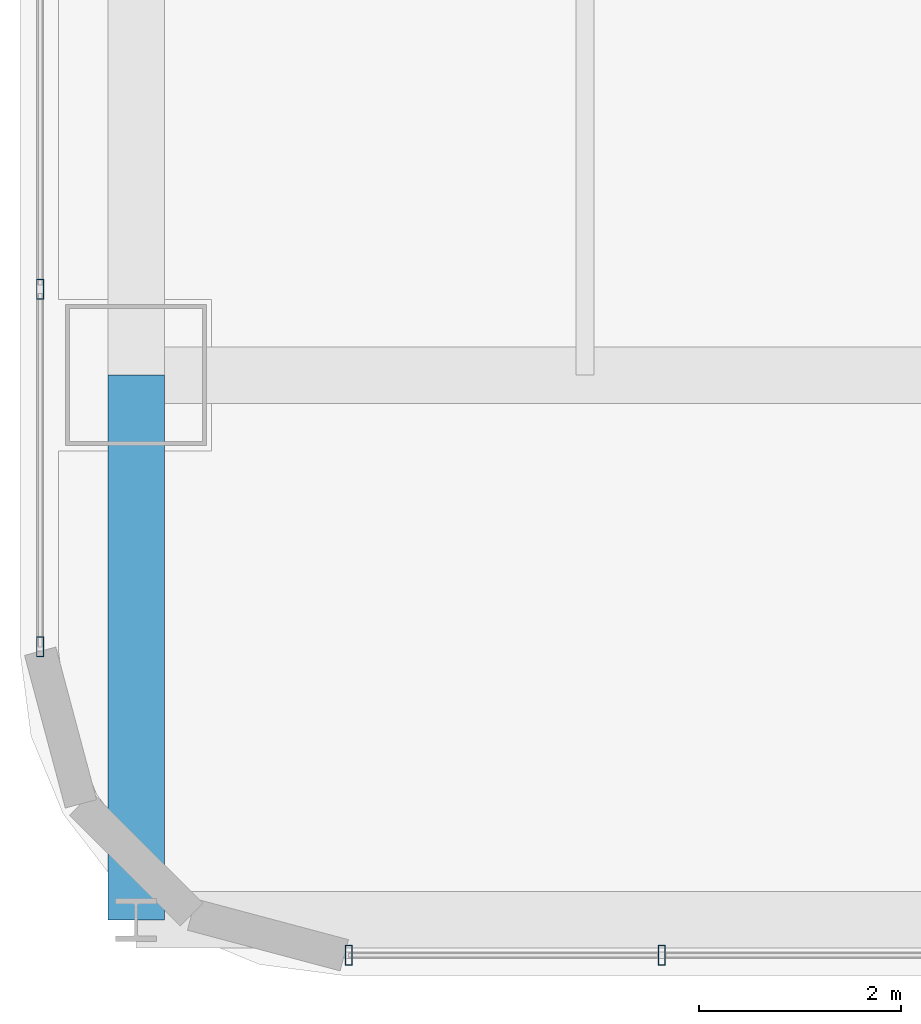
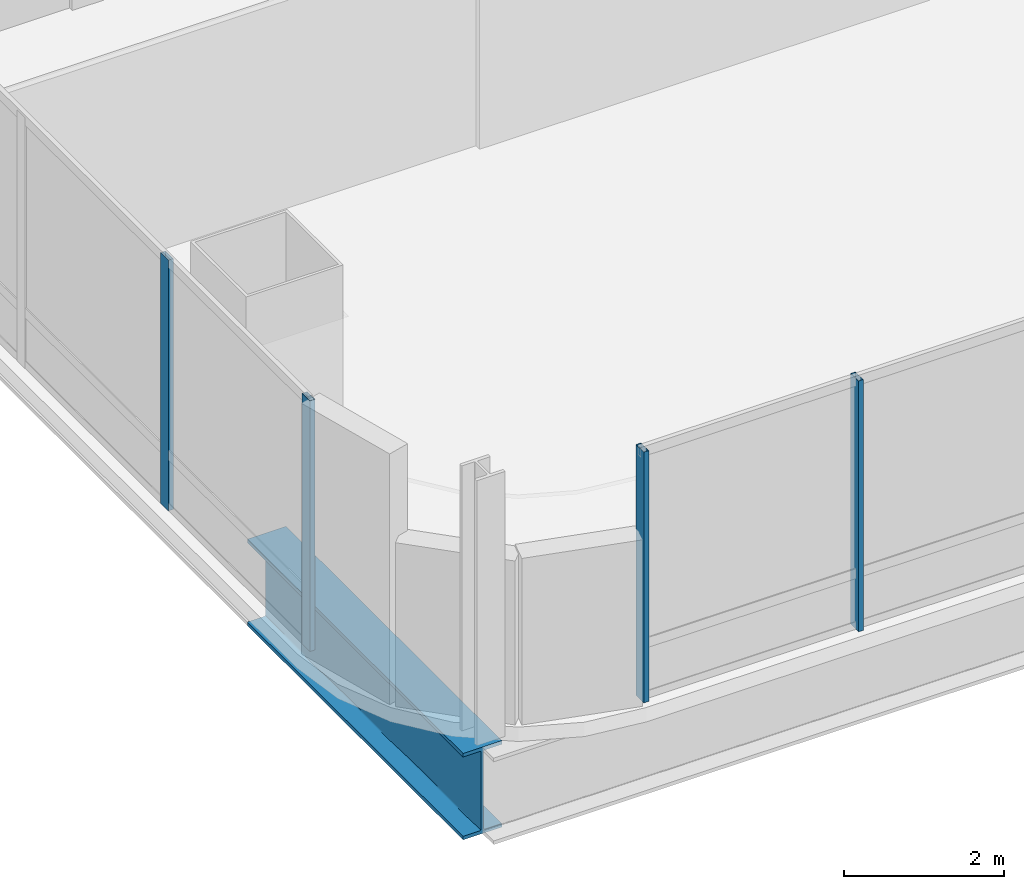
# One storey, part 2 of 41: 4 members, 1 beam, 2 elements without a shape of their own.
"""IFC4 building model written with IfcOpenShell, lengths in metres."""

from ifc_helpers import new_model, si_unit, direction, frame, origin, origin_2d, place, context, subcontext, project, spatial, hollow_rectangle, i_section, extrude, material, material_profile, profile_set, type_object, element, aggregate, save


model = new_model("IFC4")

# Units and contexts
model_context = context("Model", 3, precision=1e-05, world=origin(), true_north=direction((0.0, 1.0)))
body_context = subcontext(model_context, "Body", "Model", "MODEL_VIEW")
ifc_project = project(units=[si_unit("LENGTHUNIT", "METRE"), si_unit("AREAUNIT", "SQUARE_METRE"), si_unit("VOLUMEUNIT", "CUBIC_METRE"), si_unit("PLANEANGLEUNIT", "RADIAN"), si_unit("MASSUNIT", "GRAM", prefix="KILO")], contexts=[model_context])

# Site, building, storey
site_placement = place(None, origin())
site = spatial("IfcSite", under=ifc_project, at=site_placement, CompositionType="ELEMENT")
building_placement = place(site_placement, origin())
building = spatial("IfcBuilding", under=site, at=building_placement, Name="Punatoya Terracotta Tower", CompositionType="ELEMENT")
storey_placement = place(building_placement, frame((0.0, 0.0, 220.800048828125)))
storey = spatial("IfcBuildingStorey", under=building, at=storey_placement, Name="L52", CompositionType="ELEMENT", Elevation=220.800048828125)

# Beam
ifc_material_1 = material(Name="Steel S460", Category="steel")
ifc_material_profile_1 = material_profile(ifc_material_1, i_section(OverallWidth=0.56005859375, OverallDepth=1.320068359375, WebThickness=0.035888671875, FlangeThickness=0.054931640625, FilletRadius=0.01806640625, at=origin_2d()))
ifc_profile_set_1 = profile_set([ifc_material_profile_1], Name="Steel S460")
beam_type = type_object("IfcBeamType", Name="BM-TG-BLK", PredefinedType="BEAM", material=ifc_profile_set_1)
beam_placement = place(storey_placement, frame((-19.10009765625, -22.89990234375, -0.880126953125), z_axis=(0.0, 1.0, 0.0), x_axis=(-1.0, 0.0, 0.0)))
element("IfcBeam", 1, at=beam_placement, inside=storey, type_object=beam_type, Name="BM-L52-CANT-S1", PredefinedType="BEAM", context=body_context, shape_type="SweptSolid", body=[
    extrude(i_section(OverallWidth=0.56005859375, OverallDepth=1.320068359375, WebThickness=0.035888671875, FlangeThickness=0.054931640625, FilletRadius=0.01806640625, at=origin_2d()), origin(), (0.0, 0.0, 1.0), 5.39990234375),
])

# Curtain wall, members
ifc_material_2 = material(Name="Aluminium 6063-T6 + Double Low-E Glass", Category="aluminium")
curtain_wall_type = type_object("IfcCurtainWallType", Name="CW-M2", PredefinedType="NOTDEFINED", material=ifc_material_2)
curtain_wall_1_placement = place(storey_placement, origin())
curtain_wall_1 = element("IfcCurtainWall", 2, at=curtain_wall_1_placement, inside=storey, type_object=curtain_wall_type, Name="L52 Curtain Wall CW-L52-S01-1", PredefinedType="NOTDEFINED")
ifc_material_3 = material(Name="Aluminium 6063-T6", Category="aluminium")
ifc_material_profile_2 = material_profile(ifc_material_3, hollow_rectangle(XDim=0.072021484375, YDim=0.195068359375, WallThickness=0.00439453125, at=origin_2d()))
ifc_profile_set_2 = profile_set([ifc_material_profile_2], Name="Aluminium 6063-T6")
member_type = type_object("IfcMemberType", Name="CW-MUL-M2", PredefinedType="MULLION", material=ifc_profile_set_2)
member_1_placement = place(storey_placement, frame((-16.991943359375, -23.25, 0.0), z_axis=(0.0, 0.0, 1.0), x_axis=(1.0, 0.0, 0.0)))
member_1 = element("IfcMember", 3, at=member_1_placement, type_object=member_type, Name="CW-L52-S01-1 Mullion 00", PredefinedType="MULLION", context=body_context, shape_type="SweptSolid", body=[
    extrude(hollow_rectangle(XDim=0.072021484375, YDim=0.195068359375, WallThickness=0.00439453125, at=origin_2d()), origin(), (0.0, 0.0, 1.0), 3.829833984375),
])
member_2_placement = place(storey_placement, frame((-13.89013671875, -23.25, 0.0), z_axis=(0.0, 0.0, 1.0), x_axis=(1.0, 0.0, 0.0)))
member_2 = element("IfcMember", 4, at=member_2_placement, type_object=member_type, Name="CW-L52-S01-1 Mullion 01", PredefinedType="MULLION", context=body_context, shape_type="SweptSolid", body=[
    extrude(hollow_rectangle(XDim=0.072021484375, YDim=0.195068359375, WallThickness=0.00439453125, at=origin_2d()), origin(), (0.0, 0.0, 1.0), 3.829833984375),
])
aggregate(curtain_wall_1, [member_1, member_2])

curtain_wall_2_placement = place(storey_placement, origin())
curtain_wall_2 = element("IfcCurtainWall", 5, at=curtain_wall_2_placement, inside=storey, type_object=curtain_wall_type, Name="L52 Curtain Wall CW-L52-W11-1", PredefinedType="NOTDEFINED")
member_3_placement = place(storey_placement, frame((-20.050048828125, -16.6494140625, 0.0), z_axis=(0.0, 0.0, 1.0), x_axis=(1.0, 0.0, 0.0)))
member_3 = element("IfcMember", 6, at=member_3_placement, type_object=member_type, Name="CW-L52-W11-1 Mullion 08", PredefinedType="MULLION", context=body_context, shape_type="SweptSolid", body=[
    extrude(hollow_rectangle(XDim=0.072021484375, YDim=0.195068359375, WallThickness=0.00439453125, at=origin_2d()), origin(), (0.0, 0.0, 1.0), 3.829833984375),
])
member_4_placement = place(storey_placement, frame((-20.050048828125, -20.19189453125, 0.0), z_axis=(0.0, 0.0, 1.0), x_axis=(1.0, 0.0, 0.0)))
member_4 = element("IfcMember", 7, at=member_4_placement, type_object=member_type, Name="CW-L52-W11-1 Mullion 09", PredefinedType="MULLION", context=body_context, shape_type="SweptSolid", body=[
    extrude(hollow_rectangle(XDim=0.072021484375, YDim=0.195068359375, WallThickness=0.00439453125, at=origin_2d()), origin(), (0.0, 0.0, 1.0), 3.829833984375),
])
aggregate(curtain_wall_2, [member_3, member_4])

save(model, "model.ifc")
